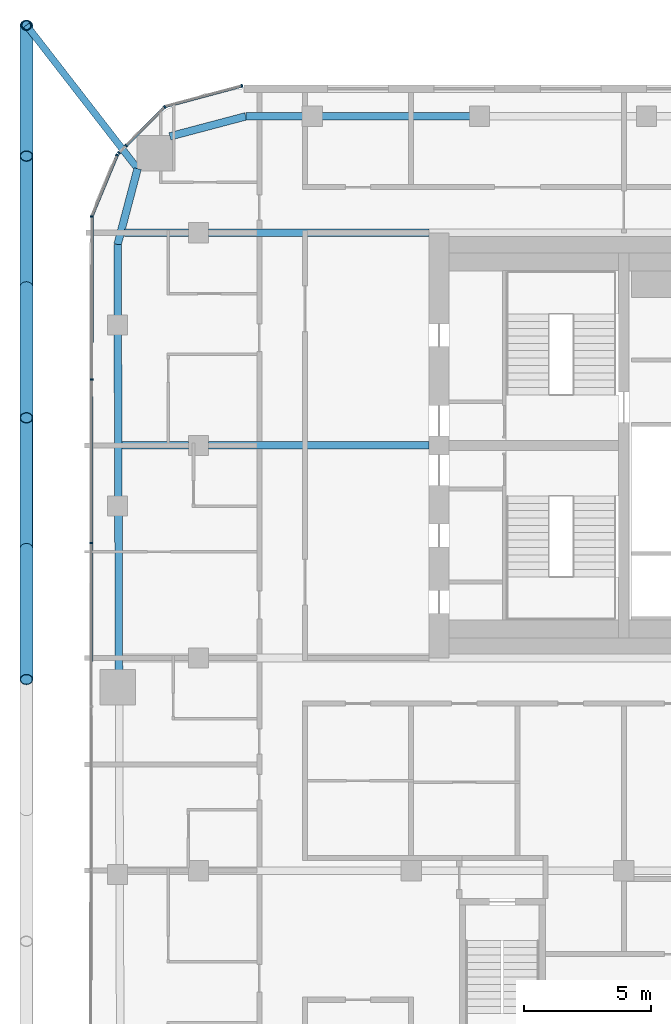
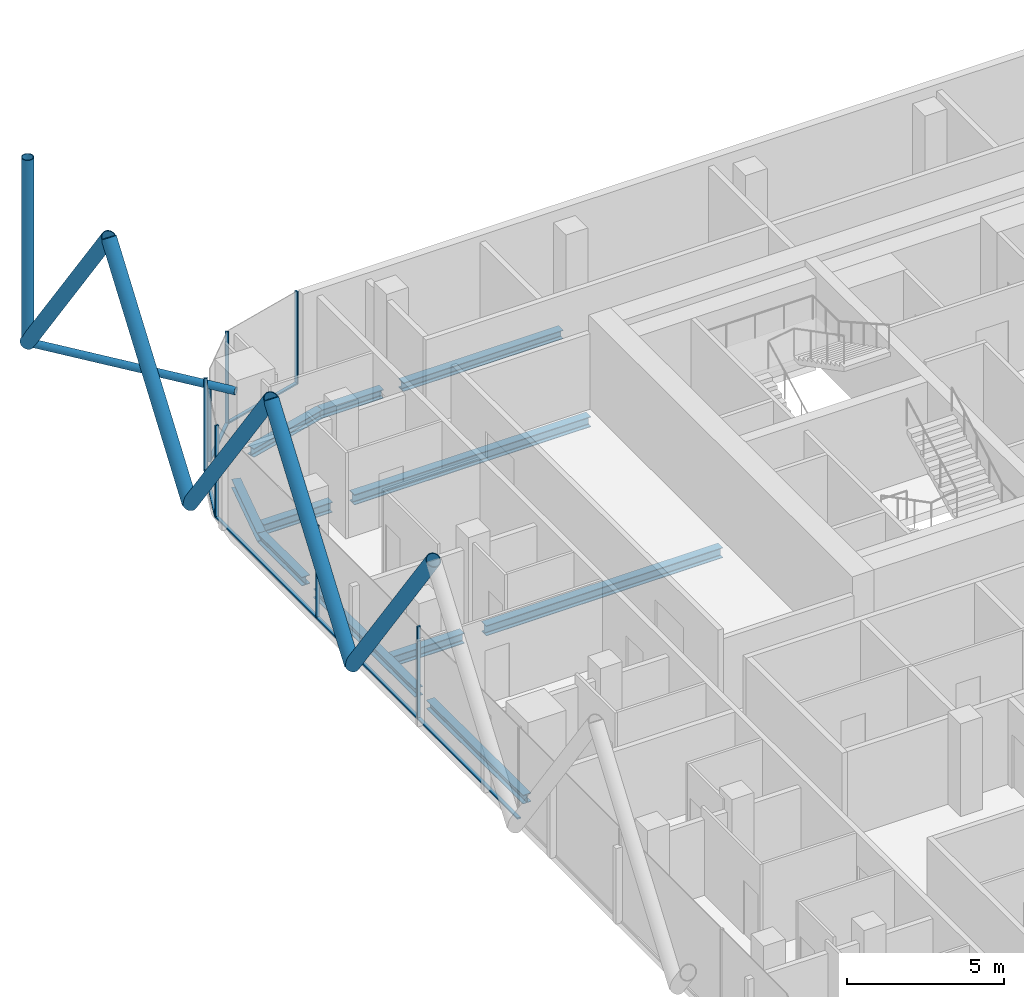
# One storey, part 8 of 28: 21 members, 11 beams, 5 elements without a shape of their own.
"""IFC4 building model written with IfcOpenShell, lengths in metres."""

from ifc_helpers import new_model, si_unit, direction, frame, origin, origin_2d, place, context, subcontext, project, spatial, rectangle, hollow_circle, i_section, extrude, material, layer, layer_set, material_profile, profile_set, type_object, element, aggregate, save


model = new_model("IFC4")

# Units and contexts
model_context = context("Model", 3, precision=1e-05, world=origin(), true_north=direction((0.0, 1.0)))
body_context = subcontext(model_context, "Body", "Model", "MODEL_VIEW")
ifc_project = project(units=[si_unit("LENGTHUNIT", "METRE"), si_unit("AREAUNIT", "SQUARE_METRE"), si_unit("VOLUMEUNIT", "CUBIC_METRE"), si_unit("PLANEANGLEUNIT", "RADIAN"), si_unit("MASSUNIT", "GRAM", prefix="KILO")], contexts=[model_context])

# Site, building, storey
site_placement = place(None, origin())
site = spatial("IfcSite", under=ifc_project, at=site_placement, CompositionType="ELEMENT")
building_placement = place(site_placement, origin())
building = spatial("IfcBuilding", under=site, at=building_placement, Name="Marenta Gate Hotel Tower", CompositionType="ELEMENT")
storey_placement = place(building_placement, frame((0.0, 0.0, 212.89990234375)))
storey = spatial("IfcBuildingStorey", under=building, at=storey_placement, Name="L49", CompositionType="ELEMENT", Elevation=212.89990234375)

# Members
ifc_material_1 = material(Name="Steel S355J2W", Category="steel")
ifc_material_profile_1 = material_profile(ifc_material_1, hollow_circle(Radius=0.203125, WallThickness=0.02490234375, at=origin_2d()), Name="CHS 406.4x25")
ifc_profile_set_1 = profile_set([ifc_material_profile_1], Name="Steel S355J2W")
member_type_1 = type_object("IfcMemberType", Name="Diagrid corner post Z3 CHS 406.4x25", PredefinedType="POST", material=ifc_profile_set_1)
member_1_placement = place(storey_placement, frame((-27.800048828125, 25.0, 3.14013671875), z_axis=(0.0, 0.0, 1.0), x_axis=(1.0, 0.0, 0.0)))
element("IfcMember", 1, at=member_1_placement, inside=storey, type_object=member_type_1, Name="L49-DR-6", PredefinedType="POST", context=body_context, shape_type="SweptSolid", body=[
    extrude(hollow_circle(Radius=0.203125, WallThickness=0.02490234375, at=origin_2d()), origin(), (0.0, 0.0, 1.0), 7.199951171875),
])
ifc_material_2 = material(Name="Steel S355J2W", Category="steel")
ifc_material_profile_2 = material_profile(ifc_material_2, hollow_circle(Radius=0.25390625, WallThickness=0.02490234375, at=origin_2d()), Name="CHS 508x25")
ifc_profile_set_2 = profile_set([ifc_material_profile_2], Name="Steel S355J2W")
member_type_2 = type_object("IfcMemberType", Name="Diagrid diagonal Z3 CHS 508x25", PredefinedType="BRACE", material=ifc_profile_set_2)
member_2_placement = place(storey_placement, frame((-27.800048828125, 4.31982421875, 3.14013671875), z_axis=(0.0, -0.583260841117, 0.812284919975), x_axis=(1.0, 0.0, 0.0)))
element("IfcMember", 2, at=member_2_placement, inside=storey, type_object=member_type_2, Name="L49-DG-30", PredefinedType="BRACE", context=body_context, shape_type="SweptSolid", body=[
    extrude(hollow_circle(Radius=0.25390625, WallThickness=0.02490234375, at=origin_2d()), origin(), (0.0, 0.0, 1.0), 8.86376953125),
])
member_3_placement = place(storey_placement, frame((-27.800048828125, 4.31982421875, 3.14013671875), z_axis=(0.0, 0.583279014058, 0.812271870595), x_axis=(-1.0, 0.0, 0.0)))
element("IfcMember", 3, at=member_3_placement, inside=storey, type_object=member_type_2, Name="L49-DG-31", PredefinedType="BRACE", context=body_context, shape_type="SweptSolid", body=[
    extrude(hollow_circle(Radius=0.25390625, WallThickness=0.02490234375, at=origin_2d()), origin(), (0.0, 0.0, 1.0), 8.864013671875),
])
member_4_placement = place(storey_placement, frame((-27.800048828125, 14.659912109375, 3.14013671875), z_axis=(0.0, -0.583260841117, 0.812284919975), x_axis=(1.0, 0.0, 0.0)))
element("IfcMember", 4, at=member_4_placement, inside=storey, type_object=member_type_2, Name="L49-DG-32", PredefinedType="BRACE", context=body_context, shape_type="SweptSolid", body=[
    extrude(hollow_circle(Radius=0.25390625, WallThickness=0.02490234375, at=origin_2d()), origin(), (0.0, 0.0, 1.0), 8.86376953125),
])
member_5_placement = place(storey_placement, frame((-27.800048828125, 14.659912109375, 3.14013671875), z_axis=(0.0, 0.583279014058, 0.812271870595), x_axis=(-1.0, 0.0, 0.0)))
element("IfcMember", 5, at=member_5_placement, inside=storey, type_object=member_type_2, Name="L49-DG-33", PredefinedType="BRACE", context=body_context, shape_type="SweptSolid", body=[
    extrude(hollow_circle(Radius=0.25390625, WallThickness=0.02490234375, at=origin_2d()), origin(), (0.0, 0.0, 1.0), 8.864013671875),
])
member_6_placement = place(storey_placement, frame((-27.800048828125, 25.0, 3.14013671875), z_axis=(0.0, -0.583260841117, 0.812284919975), x_axis=(1.0, 0.0, 0.0)))
element("IfcMember", 6, at=member_6_placement, inside=storey, type_object=member_type_2, Name="L49-DG-34", PredefinedType="BRACE", context=body_context, shape_type="SweptSolid", body=[
    extrude(hollow_circle(Radius=0.25390625, WallThickness=0.02490234375, at=origin_2d()), origin(), (0.0, 0.0, 1.0), 8.86376953125),
])

# Beams
ifc_material_3 = material(Name="Steel S355", Category="steel")
ifc_material_profile_3 = material_profile(ifc_material_3, i_section(OverallWidth=0.300048828125, OverallDepth=0.340087890625, WebThickness=0.011962890625, FlangeThickness=0.021484375, FilletRadius=0.027099609375, at=origin_2d()), Name="HEB 340")
ifc_profile_set_3 = profile_set([ifc_material_profile_3], Name="Steel S355")
beam_type_1 = type_object("IfcBeamType", Name="Edge beam HEB 340", PredefinedType="SPANDREL", material=ifc_profile_set_3)
beam_1_placement = place(storey_placement, frame((-24.14404296875, -0.489990234375, -0.429931640625), z_axis=(-0.003303859048, 0.999994542243, 0.0), x_axis=(-0.999994542243, -0.003303859048, 0.0)))
element("IfcBeam", 7, at=beam_1_placement, inside=storey, type_object=beam_type_1, Name="L49-EB-8", PredefinedType="SPANDREL", context=body_context, shape_type="SweptSolid", body=[
    extrude(i_section(OverallWidth=0.300048828125, OverallDepth=0.340087890625, WebThickness=0.011962890625, FlangeThickness=0.021484375, FilletRadius=0.027099609375, at=origin_2d()), origin(), (0.0, 0.0, 1.0), 6.13330078125),
])
beam_2_placement = place(storey_placement, frame((-24.166748046875, 6.36328125, -0.429931640625), z_axis=(-0.00333963982, 0.999994423387, 0.0), x_axis=(-0.999994423387, -0.00333963982, 0.0)))
element("IfcBeam", 8, at=beam_2_placement, inside=storey, type_object=beam_type_1, Name="L49-EB-9", PredefinedType="SPANDREL", context=body_context, shape_type="SweptSolid", body=[
    extrude(i_section(OverallWidth=0.300048828125, OverallDepth=0.340087890625, WebThickness=0.011962890625, FlangeThickness=0.021484375, FilletRadius=0.027099609375, at=origin_2d()), origin(), (0.0, 0.0, 1.0), 6.43310546875),
])
beam_3_placement = place(storey_placement, frame((-24.190673828125, 13.516357421875, -0.429931640625), z_axis=(-0.003292020626, 0.999994581285, 0.0), x_axis=(-0.999994581285, -0.003292020626, 0.0)))
element("IfcBeam", 9, at=beam_3_placement, inside=storey, type_object=beam_type_1, Name="L49-EB-10", PredefinedType="SPANDREL", context=body_context, shape_type="SweptSolid", body=[
    extrude(i_section(OverallWidth=0.300048828125, OverallDepth=0.340087890625, WebThickness=0.011962890625, FlangeThickness=0.021484375, FilletRadius=0.027099609375, at=origin_2d()), origin(), (0.0, 0.0, 1.0), 2.818115234375),
])
beam_4_placement = place(storey_placement, frame((-24.199951171875, 16.33447265625, -0.429931640625), z_axis=(0.255648013319, 0.966769927794, 0.0), x_axis=(-0.966769927794, 0.255648013319, 0.0)))
element("IfcBeam", 10, at=beam_4_placement, inside=storey, type_object=beam_type_1, Name="L49-EB-11", PredefinedType="SPANDREL", context=body_context, shape_type="SweptSolid", body=[
    extrude(i_section(OverallWidth=0.300048828125, OverallDepth=0.340087890625, WebThickness=0.011962890625, FlangeThickness=0.021484375, FilletRadius=0.027099609375, at=origin_2d()), origin(), (0.0, 0.0, 1.0), 3.100830078125),
])
beam_5_placement = place(storey_placement, frame((-22.132080078125, 20.607177734375, -0.429931640625), z_axis=(0.9667647815, 0.25566747398, 0.0), x_axis=(-0.25566747398, 0.9667647815, 0.0)))
element("IfcBeam", 11, at=beam_5_placement, inside=storey, type_object=beam_type_1, Name="L49-EB-12", PredefinedType="SPANDREL", context=body_context, shape_type="SweptSolid", body=[
    extrude(i_section(OverallWidth=0.300048828125, OverallDepth=0.340087890625, WebThickness=0.011962890625, FlangeThickness=0.021484375, FilletRadius=0.027099609375, at=origin_2d()), origin(), (0.0, 0.0, 1.0), 3.1005859375),
])
beam_6_placement = place(storey_placement, frame((-19.134521484375, 21.39990234375, -0.429931640625), z_axis=(1.0, 0.0, 0.0), x_axis=(0.0, 1.0, 0.0)))
element("IfcBeam", 12, at=beam_6_placement, inside=storey, type_object=beam_type_1, Name="L49-EB-13", PredefinedType="SPANDREL", context=body_context, shape_type="SweptSolid", body=[
    extrude(i_section(OverallWidth=0.300048828125, OverallDepth=0.340087890625, WebThickness=0.011962890625, FlangeThickness=0.021484375, FilletRadius=0.027099609375, at=origin_2d()), origin(), (0.0, 0.0, 1.0), 2.267578125),
])
beam_7_placement = place(storey_placement, frame((-16.14697265625, 21.39990234375, -0.429931640625), z_axis=(1.0, 0.0, 0.0), x_axis=(0.0, 1.0, 0.0)))
element("IfcBeam", 13, at=beam_7_placement, inside=storey, type_object=beam_type_1, Name="L49-EB-14", PredefinedType="SPANDREL", context=body_context, shape_type="SweptSolid", body=[
    extrude(i_section(OverallWidth=0.300048828125, OverallDepth=0.340087890625, WebThickness=0.011962890625, FlangeThickness=0.021484375, FilletRadius=0.027099609375, at=origin_2d()), origin(), (0.0, 0.0, 1.0), 5.8828125),
])

# Member
ifc_material_4 = material(Name="Steel S355J2W", Category="steel")
ifc_material_profile_4 = material_profile(ifc_material_4, hollow_circle(Radius=0.136474609375, WallThickness=0.012451171875, at=origin_2d()), Name="CHS 273x12.5")
ifc_profile_set_4 = profile_set([ifc_material_profile_4], Name="Steel S355J2W")
member_type_3 = type_object("IfcMemberType", Name="Floor tie CHS 273x12.5", PredefinedType="STRUT", material=ifc_profile_set_4)
member_7_placement = place(storey_placement, frame((-27.800048828125, 25.0, 3.14013671875), z_axis=(0.61259242592, -0.790398962363, 0.0), x_axis=(0.790398962363, 0.61259242592, 0.0)))
element("IfcMember", 14, at=member_7_placement, inside=storey, type_object=member_type_3, Name="L49-DR-12", PredefinedType="STRUT", context=body_context, shape_type="SweptSolid", body=[
    extrude(hollow_circle(Radius=0.136474609375, WallThickness=0.012451171875, at=origin_2d()), origin(), (0.0, 0.0, 1.0), 7.163330078125),
])

# Beams
ifc_material_5 = material(Name="Steel S355", Category="steel")
ifc_material_profile_5 = material_profile(ifc_material_5, i_section(OverallWidth=0.300048828125, OverallDepth=0.39990234375, WebThickness=0.013427734375, FlangeThickness=0.02392578125, FilletRadius=0.027099609375, at=origin_2d()), Name="HEB 400")
ifc_profile_set_5 = profile_set([ifc_material_profile_5], Name="Steel S355")
beam_type_2 = type_object("IfcBeamType", Name="Girder HEB 400", PredefinedType="BEAM", material=ifc_profile_set_5)
beam_8_placement = place(storey_placement, frame((-24.023681640625, 8.39990234375, -0.4599609375), z_axis=(1.0, 0.0, 0.0), x_axis=(0.0, 1.0, 0.0)))
element("IfcBeam", 15, at=beam_8_placement, inside=storey, type_object=beam_type_2, Name="L49-GD-25", PredefinedType="BEAM", context=body_context, shape_type="SweptSolid", body=[
    extrude(i_section(OverallWidth=0.300048828125, OverallDepth=0.39990234375, WebThickness=0.013427734375, FlangeThickness=0.02392578125, FilletRadius=0.027099609375, at=origin_2d()), origin(), (0.0, 0.0, 1.0), 2.623779296875),
])
beam_9_placement = place(storey_placement, frame((-20.60009765625, 8.39990234375, -0.4599609375), z_axis=(1.0, 0.0, 0.0), x_axis=(0.0, 1.0, 0.0)))
element("IfcBeam", 16, at=beam_9_placement, inside=storey, type_object=beam_type_2, Name="L49-GD-26", PredefinedType="BEAM", context=body_context, shape_type="SweptSolid", body=[
    extrude(i_section(OverallWidth=0.300048828125, OverallDepth=0.39990234375, WebThickness=0.013427734375, FlangeThickness=0.02392578125, FilletRadius=0.027099609375, at=origin_2d()), origin(), (0.0, 0.0, 1.0), 8.7001953125),
])
beam_10_placement = place(storey_placement, frame((-23.921630859375, 16.800048828125, -0.4599609375), z_axis=(1.0, 0.0, 0.0), x_axis=(0.0, 1.0, 0.0)))
element("IfcBeam", 17, at=beam_10_placement, inside=storey, type_object=beam_type_2, Name="L49-GD-29", PredefinedType="BEAM", context=body_context, shape_type="SweptSolid", body=[
    extrude(i_section(OverallWidth=0.300048828125, OverallDepth=0.39990234375, WebThickness=0.013427734375, FlangeThickness=0.02392578125, FilletRadius=0.027099609375, at=origin_2d()), origin(), (0.0, 0.0, 1.0), 2.521728515625),
])
beam_11_placement = place(storey_placement, frame((-20.60009765625, 16.800048828125, -0.4599609375), z_axis=(1.0, 0.0, 0.0), x_axis=(0.0, 1.0, 0.0)))
element("IfcBeam", 18, at=beam_11_placement, inside=storey, type_object=beam_type_2, Name="L49-GD-30", PredefinedType="BEAM", context=body_context, shape_type="SweptSolid", body=[
    extrude(i_section(OverallWidth=0.300048828125, OverallDepth=0.39990234375, WebThickness=0.013427734375, FlangeThickness=0.02392578125, FilletRadius=0.027099609375, at=origin_2d()), origin(), (0.0, 0.0, 1.0), 8.7001953125),
])

# Curtain wall, member
ifc_material_6 = material(Name="Tinted insulated glass in bronze anodised frame", Category="glass")
ifc_layer = layer(ifc_material_6, 0.1201171875)
ifc_layer_set = layer_set([ifc_layer], Name="Tinted insulated glass in bronze anodised frame")
curtain_wall_type = type_object("IfcCurtainWallType", Name="Tower unitised curtain wall CW1", PredefinedType="NOTDEFINED", material=ifc_layer_set)
curtain_wall_1_placement = place(storey_placement, origin())
curtain_wall_1 = element("IfcCurtainWall", 19, at=curtain_wall_1_placement, inside=storey, type_object=curtain_wall_type, Name="CW1 run G00", PredefinedType="NOTDEFINED")
ifc_material_7 = material(Name="Bronze anodised aluminium", Category="aluminium")
ifc_material_profile_6 = material_profile(ifc_material_7, rectangle(XDim=0.1201171875, YDim=0.06005859375, at=origin_2d()), Name="Mullion CW1 60x120 bronze anodised aluminium")
ifc_profile_set_6 = profile_set([ifc_material_profile_6], Name="Bronze anodised aluminium")
member_type_4 = type_object("IfcMemberType", Name="Mullion CW1 60x120 bronze anodised aluminium", PredefinedType="MULLION", material=ifc_profile_set_6)
member_8_placement = place(storey_placement, frame((-19.285400390625, 22.603271484375, 0.0), z_axis=(0.0, 0.0, 1.0), x_axis=(0.258801379183, -0.965930559685, 0.0)))
member_8 = element("IfcMember", 20, at=member_8_placement, type_object=member_type_4, Name="CW1 mullion 1", PredefinedType="MULLION", context=body_context, shape_type="SweptSolid", body=[
    extrude(rectangle(XDim=0.1201171875, YDim=0.06005859375, at=origin_2d()), origin(), (0.0, 0.0, 1.0), 3.60009765625),
])

curtain_wall_2_placement = place(storey_placement, origin())
curtain_wall_2 = element("IfcCurtainWall", 21, at=curtain_wall_2_placement, inside=storey, type_object=curtain_wall_type, Name="CW1 run G01", PredefinedType="NOTDEFINED")
member_9_placement = place(storey_placement, frame((-22.334228515625, 21.77099609375, 0.0), z_axis=(0.0, 0.0, 1.0), x_axis=(0.707106781187, -0.707106781187, 0.0)))
member_9 = element("IfcMember", 22, at=member_9_placement, type_object=member_type_4, Name="CW1 mullion 1", PredefinedType="MULLION", context=body_context, shape_type="SweptSolid", body=[
    extrude(rectangle(XDim=0.1201171875, YDim=0.06005859375, at=origin_2d()), origin(), (0.0, 0.0, 1.0), 3.60009765625),
])

# Curtain wall, members
curtain_wall_3_placement = place(storey_placement, origin())
curtain_wall_3 = element("IfcCurtainWall", 23, at=curtain_wall_3_placement, inside=storey, type_object=curtain_wall_type, Name="CW1 run G02", PredefinedType="NOTDEFINED")
member_10_placement = place(storey_placement, frame((-23.86328125, 20.24169921875, 0.0), z_axis=(0.0, 0.0, 1.0), x_axis=(0.707106781187, -0.707106781187, 0.0)))
member_10 = element("IfcMember", 24, at=member_10_placement, type_object=member_type_4, Name="CW1 mullion 1", PredefinedType="MULLION", context=body_context, shape_type="SweptSolid", body=[
    extrude(rectangle(XDim=0.1201171875, YDim=0.06005859375, at=origin_2d()), origin(), (0.0, 0.0, 1.0), 3.00048828125),
])
member_11_placement = place(storey_placement, frame((-24.143798828125, 19.961181640625, 0.0), z_axis=(0.0, 0.0, 1.0), x_axis=(0.707106781187, -0.707106781187, 0.0)))
member_11 = element("IfcMember", 25, at=member_11_placement, type_object=member_type_4, Name="CW1 mullion 2", PredefinedType="MULLION", context=body_context, shape_type="SweptSolid", body=[
    extrude(rectangle(XDim=0.1201171875, YDim=0.06005859375, at=origin_2d()), origin(), (0.0, 0.0, 1.0), 3.00048828125),
])
aggregate(curtain_wall_3, [member_10, member_11])

# Curtain wall, member
curtain_wall_4_placement = place(storey_placement, origin())
curtain_wall_4 = element("IfcCurtainWall", 26, at=curtain_wall_4_placement, inside=storey, type_object=curtain_wall_type, Name="CW1 run G03", PredefinedType="NOTDEFINED")
member_12_placement = place(storey_placement, frame((-24.215087890625, 19.87353515625, 0.0), z_axis=(0.0, 0.0, 1.0), x_axis=(0.923886433266, -0.382666772044, 0.0)))
member_12 = element("IfcMember", 27, at=member_12_placement, type_object=member_type_4, Name="CW1 mullion 1", PredefinedType="MULLION", context=body_context, shape_type="SweptSolid", body=[
    extrude(rectangle(XDim=0.1201171875, YDim=0.06005859375, at=origin_2d()), origin(), (0.0, 0.0, 1.0), 3.60009765625),
])

# Curtain wall, members
curtain_wall_5_placement = place(storey_placement, origin())
curtain_wall_5 = element("IfcCurtainWall", 28, at=curtain_wall_5_placement, inside=storey, type_object=curtain_wall_type, Name="CW1 run G04", PredefinedType="NOTDEFINED")
member_13_placement = place(storey_placement, frame((-25.21240234375, 17.436279296875, 0.0), z_axis=(0.0, 0.0, 1.0), x_axis=(0.99999877375, -0.001566045546, 0.0)))
member_13 = element("IfcMember", 29, at=member_13_placement, type_object=member_type_4, Name="CW1 mullion 1", PredefinedType="MULLION", context=body_context, shape_type="SweptSolid", body=[
    extrude(rectangle(XDim=0.1201171875, YDim=0.06005859375, at=origin_2d()), origin(), (0.0, 0.0, 1.0), 3.60009765625),
])
member_14_placement = place(storey_placement, frame((-25.222412109375, 11.006103515625, 0.0), z_axis=(0.0, 0.0, 1.0), x_axis=(0.99999877375, -0.001566045546, 0.0)))
member_14 = element("IfcMember", 30, at=member_14_placement, type_object=member_type_4, Name="CW1 mullion 2", PredefinedType="MULLION", context=body_context, shape_type="SweptSolid", body=[
    extrude(rectangle(XDim=0.1201171875, YDim=0.06005859375, at=origin_2d()), origin(), (0.0, 0.0, 1.0), 3.60009765625),
])
member_15_placement = place(storey_placement, frame((-25.232421875, 4.546142578125, 0.0), z_axis=(0.0, 0.0, 1.0), x_axis=(0.99999877375, -0.001566045546, 0.0)))
member_15 = element("IfcMember", 31, at=member_15_placement, type_object=member_type_4, Name="CW1 mullion 3", PredefinedType="MULLION", context=body_context, shape_type="SweptSolid", body=[
    extrude(rectangle(XDim=0.1201171875, YDim=0.06005859375, at=origin_2d()), origin(), (0.0, 0.0, 1.0), 3.60009765625),
])

# Member
ifc_material_8 = material(Name="Bronze anodised aluminium", Category="aluminium")
ifc_material_profile_7 = material_profile(ifc_material_8, rectangle(XDim=0.1201171875, YDim=0.06005859375, at=origin_2d()), Name="Transom CW1 60x120 bronze anodised aluminium")
ifc_profile_set_7 = profile_set([ifc_material_profile_7], Name="Bronze anodised aluminium")
member_type_5 = type_object("IfcMemberType", Name="Transom CW1 60x120 bronze anodised aluminium", PredefinedType="USERDEFINED", material=ifc_profile_set_7)
member_16_placement = place(storey_placement, frame((-19.314453125, 22.595458984375, 0.030029296875), z_axis=(-0.965924882171, -0.258822568574, 0.0), x_axis=(0.258822568574, -0.965924882171, 0.0)))
member_16 = element("IfcMember", 32, at=member_16_placement, type_object=member_type_5, Name="CW1 transom 1.1", ObjectType="TRANSOM", PredefinedType="USERDEFINED", context=body_context, shape_type="SweptSolid", body=[
    extrude(rectangle(XDim=0.1201171875, YDim=0.06005859375, at=origin_2d()), origin(), (0.0, 0.0, 1.0), 3.104248046875),
])

aggregate(curtain_wall_1, [member_8, member_16])

member_17_placement = place(storey_placement, frame((-22.355224609375, 21.749755859375, 0.030029296875), z_axis=(-0.707106781187, -0.707106781187, 0.0), x_axis=(0.707106781187, -0.707106781187, 0.0)))
member_17 = element("IfcMember", 33, at=member_17_placement, type_object=member_type_5, Name="CW1 transom 1.1", ObjectType="TRANSOM", PredefinedType="USERDEFINED", context=body_context, shape_type="SweptSolid", body=[
    extrude(rectangle(XDim=0.1201171875, YDim=0.06005859375, at=origin_2d()), origin(), (0.0, 0.0, 1.0), 2.102783203125),
])

aggregate(curtain_wall_2, [member_9, member_17])

member_18_placement = place(storey_placement, frame((-24.2265625, 19.845947265625, 0.030029296875), z_axis=(-0.382736860682, -0.923857399968, 0.0), x_axis=(0.923857399968, -0.382736860682, 0.0)))
member_18 = element("IfcMember", 34, at=member_18_placement, type_object=member_type_5, Name="CW1 transom 1.1", ObjectType="TRANSOM", PredefinedType="USERDEFINED", context=body_context, shape_type="SweptSolid", body=[
    extrude(rectangle(XDim=0.1201171875, YDim=0.06005859375, at=origin_2d()), origin(), (0.0, 0.0, 1.0), 2.57568359375),
])

aggregate(curtain_wall_4, [member_12, member_18])

member_19_placement = place(storey_placement, frame((-25.21240234375, 17.40625, 0.030029296875), z_axis=(-0.00157136093, -0.999998765412, 0.0), x_axis=(0.999998765412, -0.00157136093, 0.0)))
member_19 = element("IfcMember", 35, at=member_19_placement, type_object=member_type_5, Name="CW1 transom 1.1", ObjectType="TRANSOM", PredefinedType="USERDEFINED", context=body_context, shape_type="SweptSolid", body=[
    extrude(rectangle(XDim=0.1201171875, YDim=0.06005859375, at=origin_2d()), origin(), (0.0, 0.0, 1.0), 6.3701171875),
])

member_20_placement = place(storey_placement, frame((-25.222412109375, 10.976318359375, 0.030029296875), z_axis=(-0.001563988169, -0.99999877697, 0.0), x_axis=(0.99999877697, -0.001563988169, 0.0)))
member_20 = element("IfcMember", 36, at=member_20_placement, type_object=member_type_5, Name="CW1 transom 2.1", ObjectType="TRANSOM", PredefinedType="USERDEFINED", context=body_context, shape_type="SweptSolid", body=[
    extrude(rectangle(XDim=0.1201171875, YDim=0.06005859375, at=origin_2d()), origin(), (0.0, 0.0, 1.0), 6.400146484375),
])

member_21_placement = place(storey_placement, frame((-25.232666015625, 4.51611328125, 0.030029296875), z_axis=(-0.001564047831, -0.999998776876, 0.0), x_axis=(0.999998776876, -0.001564047831, 0.0)))
member_21 = element("IfcMember", 37, at=member_21_placement, type_object=member_type_5, Name="CW1 transom 3.1", ObjectType="TRANSOM", PredefinedType="USERDEFINED", context=body_context, shape_type="SweptSolid", body=[
    extrude(rectangle(XDim=0.1201171875, YDim=0.06005859375, at=origin_2d()), origin(), (0.0, 0.0, 1.0), 6.39990234375),
])

aggregate(curtain_wall_5, [member_13, member_14, member_15, member_19, member_20, member_21])

save(model, "model.ifc")
